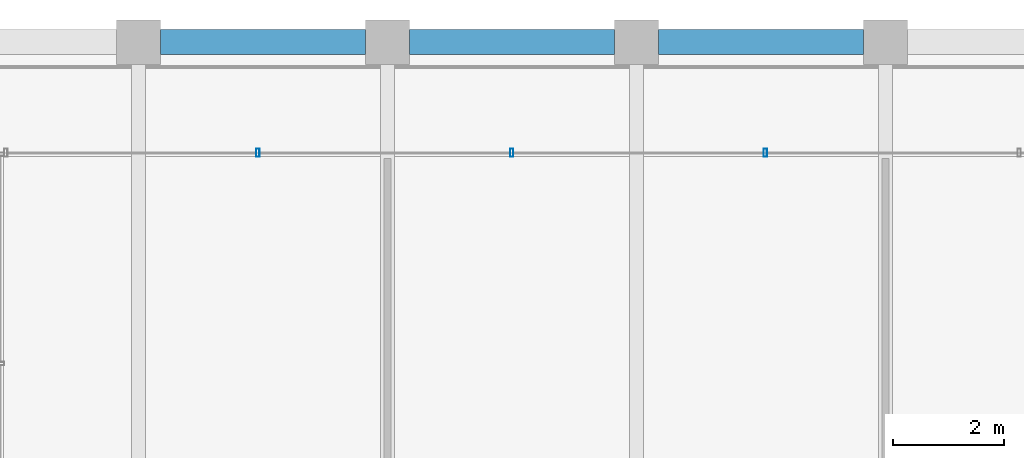
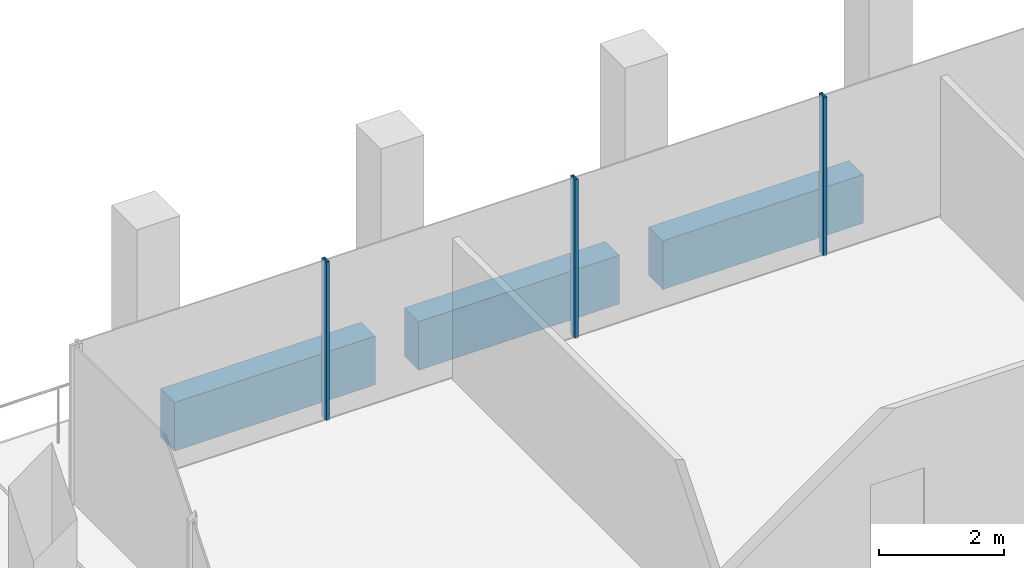
# One storey, part 23 of 30: 3 beams, 3 members, 1 element without a shape of its own.
"""IFC4 building model written with IfcOpenShell, lengths in metres."""

from ifc_helpers import new_model, si_unit, direction, frame, origin, origin_2d, place, context, subcontext, project, spatial, rectangle, hollow_rectangle, extrude, material, material_profile, profile_set, type_object, element, aggregate, save


model = new_model("IFC4")

# Units and contexts
model_context = context("Model", 3, precision=1e-05, world=origin(), true_north=direction((0.0, 1.0)))
body_context = subcontext(model_context, "Body", "Model", "MODEL_VIEW")
ifc_project = project(units=[si_unit("LENGTHUNIT", "METRE"), si_unit("AREAUNIT", "SQUARE_METRE"), si_unit("VOLUMEUNIT", "CUBIC_METRE"), si_unit("PLANEANGLEUNIT", "RADIAN"), si_unit("MASSUNIT", "GRAM", prefix="KILO")], contexts=[model_context])

# Site, building, storey
site_placement = place(None, origin())
site = spatial("IfcSite", under=ifc_project, at=site_placement, CompositionType="ELEMENT")
building_placement = place(site_placement, origin())
building = spatial("IfcBuilding", under=site, at=building_placement, Name="Altepetl Exchange Towers", CompositionType="ELEMENT")
storey_placement = place(building_placement, frame((0.0, 0.0, 231.60009765625)))
storey = spatial("IfcBuildingStorey", under=building, at=storey_placement, Name="L59", CompositionType="ELEMENT", Elevation=231.60009765625)

# Curtain wall, members
ifc_material_1 = material(Name="Aluminium 6063-T6 glazing", Category="aluminium")
curtain_wall_type = type_object("IfcCurtainWallType", Name="Loggia glazing system", PredefinedType="NOTDEFINED", material=ifc_material_1)
curtain_wall_placement = place(storey_placement, origin())
curtain_wall = element("IfcCurtainWall", 1, at=curtain_wall_placement, inside=storey, type_object=curtain_wall_type, Name="CW1 run", PredefinedType="NOTDEFINED")
ifc_material_2 = material(Name="Aluminium 6063-T6", Category="aluminium")
ifc_material_profile_1 = material_profile(ifc_material_2, hollow_rectangle(XDim=0.06005859375, YDim=0.14990234375, WallThickness=0.0029296875, at=origin_2d()), Name="Mullion 60x150 aluminium")
ifc_profile_set_1 = profile_set([ifc_material_profile_1], Name="Aluminium 6063-T6")
member_type = type_object("IfcMemberType", Name="Mullion 60x150 aluminium", PredefinedType="MULLION", material=ifc_profile_set_1)
member_1_placement = place(storey_placement, frame((56.330078125, 70.0, 0.0), z_axis=(0.0, 0.0, 1.0), x_axis=(-1.0, 0.0, 0.0)))
member_1 = element("IfcMember", 2, at=member_1_placement, type_object=member_type, Name="MU1 mullion", PredefinedType="MULLION", context=body_context, shape_type="SweptSolid", body=[
    extrude(hollow_rectangle(XDim=0.06005859375, YDim=0.14990234375, WallThickness=0.0029296875, at=origin_2d()), origin(), (0.0, 0.0, 1.0), 3.099853515625),
])
member_2_placement = place(storey_placement, frame((51.7451171875, 70.0, 0.0), z_axis=(0.0, 0.0, 1.0), x_axis=(-1.0, 0.0, 0.0)))
member_2 = element("IfcMember", 3, at=member_2_placement, type_object=member_type, Name="MU1 mullion", PredefinedType="MULLION", context=body_context, shape_type="SweptSolid", body=[
    extrude(hollow_rectangle(XDim=0.06005859375, YDim=0.14990234375, WallThickness=0.0029296875, at=origin_2d()), origin(), (0.0, 0.0, 1.0), 3.099853515625),
])
member_3_placement = place(storey_placement, frame((47.159912109375, 70.0, 0.0), z_axis=(0.0, 0.0, 1.0), x_axis=(-1.0, 0.0, 0.0)))
member_3 = element("IfcMember", 4, at=member_3_placement, type_object=member_type, Name="MU1 mullion", PredefinedType="MULLION", context=body_context, shape_type="SweptSolid", body=[
    extrude(hollow_rectangle(XDim=0.06005859375, YDim=0.14990234375, WallThickness=0.0029296875, at=origin_2d()), origin(), (0.0, 0.0, 1.0), 3.099853515625),
])
aggregate(curtain_wall, [member_1, member_2, member_3])

# Beams
ifc_material_3 = material(Name="Concrete C50/60 precast with cantera rosa facing", Category="concrete")
ifc_material_profile_2 = material_profile(ifc_material_3, rectangle(XDim=0.449951171875, YDim=0.949951171875, at=origin_2d()), Name="450 x 950")
ifc_profile_set_2 = profile_set([ifc_material_profile_2], Name="Concrete C50/60 precast with cantera rosa facing")
beam_type = type_object("IfcBeamType", Name="Spandrel beam 450x950 cantera rosa", PredefinedType="SPANDREL", material=ifc_profile_set_2)
for number, where, z_axis, x_axis, name in (
    (5, (58.10009765625, 72.0, -0.625), (-1.0, 0.0, 0.0), (0.0, -1.0, 0.0), "sp:A:L59:026"),
    (6, (53.60009765625, 72.0, -0.625), (-1.0, 0.0, 0.0), (0.0, -1.0, 0.0), "sp:A:L59:027"),
    (7, (49.10009765625, 72.0, -0.625), (-1.0, 0.0, 0.0), (0.0, -1.0, 0.0), "sp:A:L59:028"),
):
    element("IfcBeam", number, at=place(storey_placement, frame(where, z_axis=z_axis, x_axis=x_axis)), inside=storey, type_object=beam_type, Name=name, PredefinedType="SPANDREL", context=body_context, shape_type="SweptSolid", body=[
        extrude(rectangle(XDim=0.449951171875, YDim=0.949951171875, at=origin_2d()), origin(), (0.0, 0.0, 1.0), 3.7001953125),
    ])

save(model, "model.ifc")
